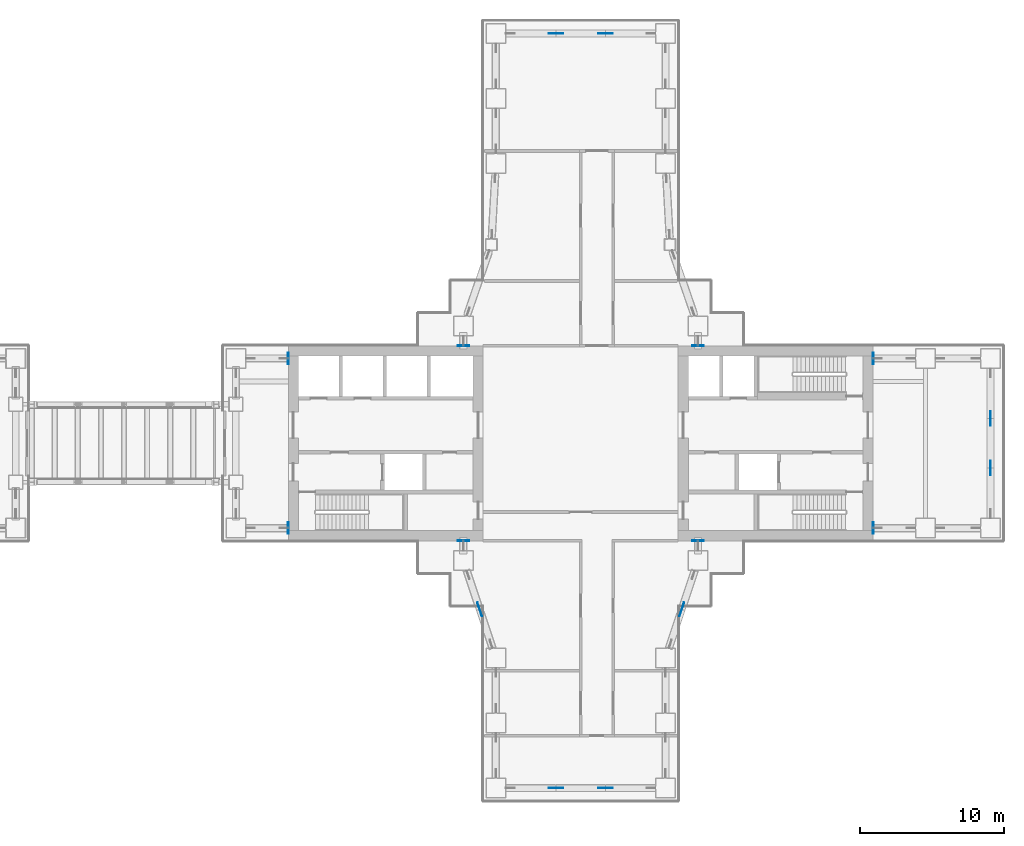
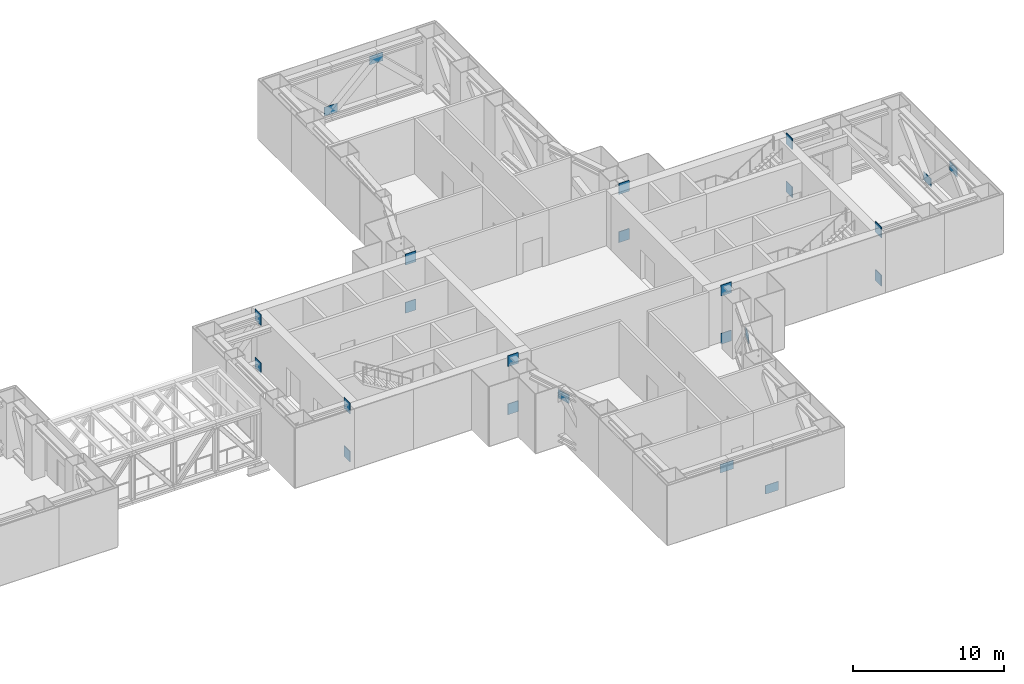
# One storey, part 17 of 23: 24 discrete accessories.
"""IFC4 building model written with IfcOpenShell, lengths in metres."""

from ifc_helpers import new_model, si_unit, direction, frame, origin, origin_2d, place, context, subcontext, project, spatial, rectangle, extrude, material, layer, layer_set, type_object, element, save


model = new_model("IFC4")

# Units and contexts
model_context = context("Model", 3, precision=1e-05, world=origin(), true_north=direction((0.0, 1.0)))
body_context = subcontext(model_context, "Body", "Model", "MODEL_VIEW")
ifc_project = project(units=[si_unit("LENGTHUNIT", "METRE"), si_unit("AREAUNIT", "SQUARE_METRE"), si_unit("VOLUMEUNIT", "CUBIC_METRE"), si_unit("PLANEANGLEUNIT", "RADIAN"), si_unit("MASSUNIT", "GRAM", prefix="KILO")], contexts=[model_context])

# Site, building, storey
site_placement = place(None, origin())
site = spatial("IfcSite", under=ifc_project, at=site_placement, CompositionType="ELEMENT")
building_placement = place(site_placement, origin())
building = spatial("IfcBuilding", under=site, at=building_placement, Name="Shamsa Quay Exchange Towers", CompositionType="ELEMENT")
storey_placement = place(building_placement, frame((0.0, 0.0, 77.10009765625)))
storey = spatial("IfcBuildingStorey", under=building, at=storey_placement, Name="L17", CompositionType="ELEMENT", Elevation=77.10009765625)

# Discrete accessories
ifc_material = material(Name="Steel S355", Category="steel")
ifc_layer_1 = layer(ifc_material, 0.050048828125)
ifc_layer_set_1 = layer_set([ifc_layer_1], Name="Cast-in plate 50x800x869")
discrete_accessory_type_1 = type_object("IfcDiscreteAccessoryType", Name="Cast-in plate 50x800x869", PredefinedType="ANCHORPLATE", material=ifc_layer_set_1)
for number, where, name in (
    (1, (13.5, -5.875, 3.73046875), "Cast-in plate T2 L17"),
    (2, (13.5, -5.875, -0.14990234375), "Cast-in plate T2 L17"),
):
    element("IfcDiscreteAccessory", number, at=place(storey_placement, frame(where)), inside=storey, type_object=discrete_accessory_type_1, Name=name, PredefinedType="ANCHORPLATE", context=body_context, shape_type="SweptSolid", body=[
        extrude(rectangle(XDim=0.050048828125, YDim=0.800048828125, at=origin_2d()), origin(), (0.0, 0.0, 1.0), 0.869384765625),
    ])
for number, where, z_axis, x_axis, name in (
    (3, (25.625, -6.75, 3.73046875), (0.0, 0.0, 1.0), (0.0, 1.0, 0.0), "Cast-in plate T2 L17"),
    (4, (25.625, -6.75, -0.14990234375), (0.0, 0.0, 1.0), (0.0, 1.0, 0.0), "Cast-in plate T2 L17"),
    (5, (41.875, -6.75, 3.73046875), (0.0, 0.0, 1.0), (0.0, 1.0, 0.0), "Cast-in plate T2 L17"),
    (6, (41.875, -6.75, -0.14990234375), (0.0, 0.0, 1.0), (0.0, 1.0, 0.0), "Cast-in plate T2 L17"),
    (7, (54.0, -5.875, 3.73046875), (0.0, 0.0, 1.0), (-1.0, 0.0, 0.0), "Cast-in plate T2 L17"),
    (8, (54.0, -5.875, -0.14990234375), (0.0, 0.0, 1.0), (-1.0, 0.0, 0.0), "Cast-in plate T2 L17"),
    (9, (54.0, 5.875, 3.73046875), (0.0, 0.0, 1.0), (-1.0, 0.0, 0.0), "Cast-in plate T2 L17"),
    (10, (54.0, 5.875, -0.14990234375), (0.0, 0.0, 1.0), (-1.0, 0.0, 0.0), "Cast-in plate T2 L17"),
    (11, (41.875, 6.75, 3.73046875), (0.0, 0.0, 1.0), (0.0, -1.0, 0.0), "Cast-in plate T2 L17"),
    (12, (41.875, 6.75, -0.14990234375), (0.0, 0.0, 1.0), (0.0, -1.0, 0.0), "Cast-in plate T2 L17"),
    (13, (25.625, 6.75, 3.73046875), (0.0, 0.0, 1.0), (0.0, -1.0, 0.0), "Cast-in plate T2 L17"),
    (14, (25.625, 6.75, -0.14990234375), (0.0, 0.0, 1.0), (0.0, -1.0, 0.0), "Cast-in plate T2 L17"),
):
    element("IfcDiscreteAccessory", number, at=place(storey_placement, frame(where, z_axis=z_axis, x_axis=x_axis)), inside=storey, type_object=discrete_accessory_type_1, Name=name, PredefinedType="ANCHORPLATE", context=body_context, shape_type="SweptSolid", body=[
        extrude(rectangle(XDim=0.050048828125, YDim=0.800048828125, at=origin_2d()), origin(), (0.0, 0.0, 1.0), 0.869384765625),
    ])
for number, where, name in (
    (15, (13.5, 5.875, 3.73046875), "Cast-in plate T2 L17"),
    (16, (13.5, 5.875, -0.14990234375), "Cast-in plate T2 L17"),
):
    element("IfcDiscreteAccessory", number, at=place(storey_placement, frame(where)), inside=storey, type_object=discrete_accessory_type_1, Name=name, PredefinedType="ANCHORPLATE", context=body_context, shape_type="SweptSolid", body=[
        extrude(rectangle(XDim=0.050048828125, YDim=0.800048828125, at=origin_2d()), origin(), (0.0, 0.0, 1.0), 0.869384765625),
    ])
ifc_layer_2 = layer(ifc_material, 0.0400390625)
ifc_layer_set_2 = layer_set([ifc_layer_2], Name="Gusset plate 1000x700x40")
discrete_accessory_type_2 = type_object("IfcDiscreteAccessoryType", Name="Gusset plate 1000x700x40", PredefinedType="BRACKET", material=ifc_layer_set_2)
discrete_accessory_placement = place(storey_placement, frame((26.75, -11.5, 3.33056640625), z_axis=(0.0, 0.0, 1.0), x_axis=(0.316227766018, -0.94868329805, 0.0)))
element("IfcDiscreteAccessory", 17, at=discrete_accessory_placement, inside=storey, type_object=discrete_accessory_type_2, Name="Gusset plate T2 L17", PredefinedType="BRACKET", context=body_context, shape_type="SweptSolid", body=[
    extrude(rectangle(XDim=1.0, YDim=0.0400390625, at=origin_2d()), origin(), (0.0, 0.0, 1.0), 0.699951171875),
])
for number, where, name in (
    (18, (32.02490234375, -23.875, 3.33056640625), "Gusset plate T2 L17"),
    (19, (35.47509765625, -23.875, 0.41943359375), "Gusset plate T2 L17"),
):
    element("IfcDiscreteAccessory", number, at=place(storey_placement, frame(where)), inside=storey, type_object=discrete_accessory_type_2, Name=name, PredefinedType="BRACKET", context=body_context, shape_type="SweptSolid", body=[
        extrude(rectangle(XDim=1.0, YDim=0.0400390625, at=origin_2d()), origin(), (0.0, 0.0, 1.0), 0.699951171875),
    ])
for number, where, z_axis, x_axis, name in (
    (20, (40.75, -11.5, 3.33056640625), (0.0, 0.0, 1.0), (0.316227766018, 0.94868329805, 0.0), "Gusset plate T2 L17"),
    (21, (62.125, -1.72509765625, 3.33056640625), (0.0, 0.0, 1.0), (0.0, 1.0, 0.0), "Gusset plate T2 L17"),
    (22, (62.125, 1.72509765625, 0.41943359375), (0.0, 0.0, 1.0), (0.0, 1.0, 0.0), "Gusset plate T2 L17"),
    (23, (35.47509765625, 28.375, 3.33056640625), (0.0, 0.0, 1.0), (-1.0, 0.0, 0.0), "Gusset plate T2 L17"),
    (24, (32.02490234375, 28.375, 0.41943359375), (0.0, 0.0, 1.0), (-1.0, 0.0, 0.0), "Gusset plate T2 L17"),
):
    element("IfcDiscreteAccessory", number, at=place(storey_placement, frame(where, z_axis=z_axis, x_axis=x_axis)), inside=storey, type_object=discrete_accessory_type_2, Name=name, PredefinedType="BRACKET", context=body_context, shape_type="SweptSolid", body=[
        extrude(rectangle(XDim=1.0, YDim=0.0400390625, at=origin_2d()), origin(), (0.0, 0.0, 1.0), 0.699951171875),
    ])

save(model, "model.ifc")
